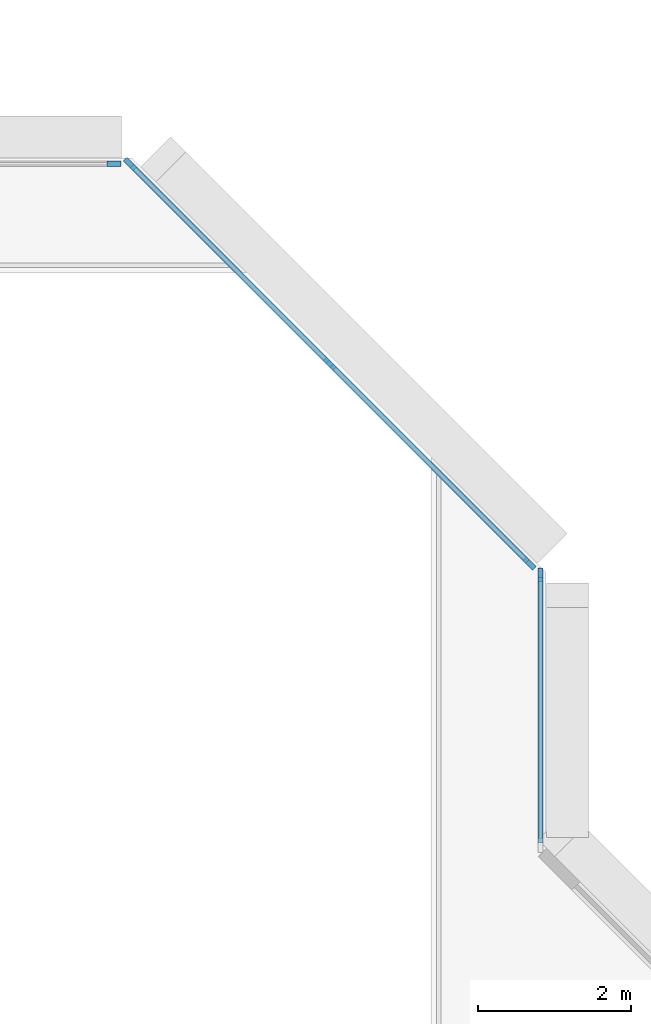
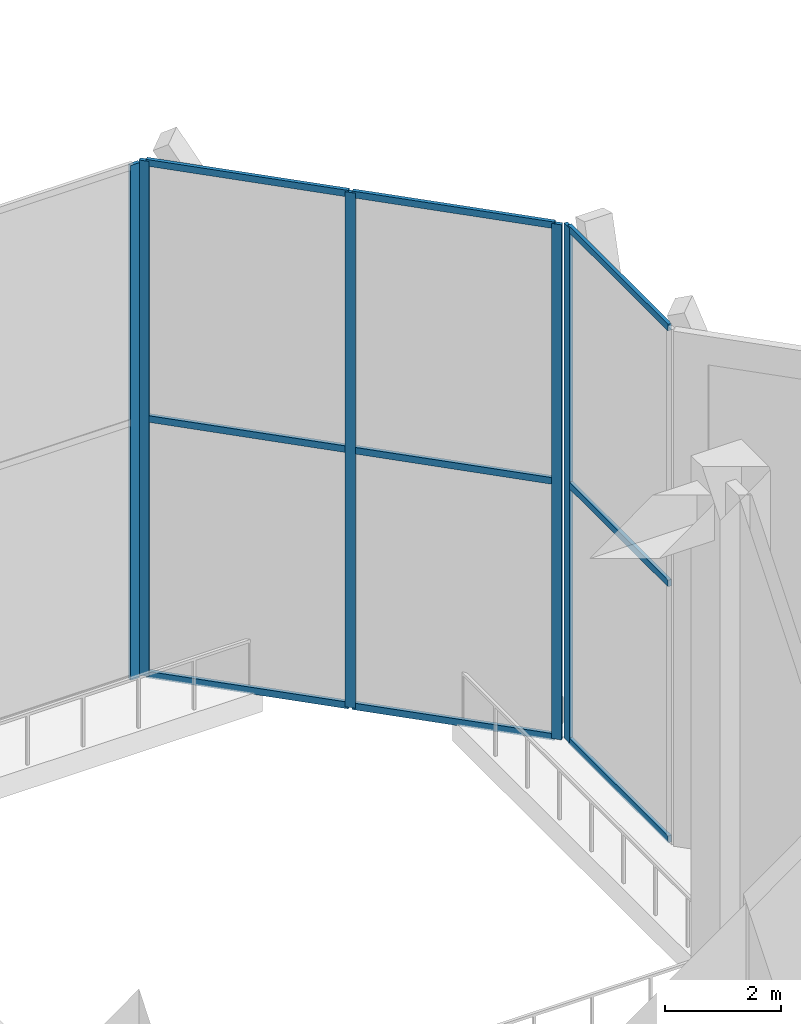
# One storey, part 7 of 21: 14 members, 3 elements without a shape of their own.
"""IFC4 building model written with IfcOpenShell, lengths in metres."""

from ifc_helpers import new_model, si_unit, direction, frame, origin, origin_2d, place, context, subcontext, project, spatial, rectangle, extrude, material, layer, layer_set, material_profile, profile_set, type_object, element, aggregate, save


model = new_model("IFC4")

# Units and contexts
model_context = context("Model", 3, precision=1e-05, world=origin(), true_north=direction((0.0, 1.0)))
body_context = subcontext(model_context, "Body", "Model", "MODEL_VIEW")
ifc_project = project(units=[si_unit("LENGTHUNIT", "METRE"), si_unit("AREAUNIT", "SQUARE_METRE"), si_unit("VOLUMEUNIT", "CUBIC_METRE"), si_unit("PLANEANGLEUNIT", "RADIAN"), si_unit("MASSUNIT", "GRAM", prefix="KILO")], contexts=[model_context])

# Site, building, storey
site_placement = place(None, origin())
site = spatial("IfcSite", under=ifc_project, at=site_placement, CompositionType="ELEMENT")
building_placement = place(site_placement, origin())
building = spatial("IfcBuilding", under=site, at=building_placement, Name="Chenar Terraces", CompositionType="ELEMENT")
storey_placement = place(building_placement, frame((0.0, 0.0, 146.14990234375)))
storey = spatial("IfcBuildingStorey", under=building, at=storey_placement, Name="L34", CompositionType="ELEMENT", Elevation=146.14990234375)

# Curtain wall, member
ifc_material_1 = material(Name="Aluminium framed glazing", Category="aluminium")
ifc_layer = layer(ifc_material_1, 0.14990234375)
ifc_layer_set = layer_set([ifc_layer], Name="Aluminium framed glazing")
curtain_wall_type = type_object("IfcCurtainWallType", Name="Atrium mid-zone curtain wall", PredefinedType="NOTDEFINED", material=ifc_layer_set)
placement = place(storey_placement, origin())
curtain_wall_1 = element("IfcCurtainWall", 1, at=placement, inside=storey, type_object=curtain_wall_type, Name="Atrium mid-zone curtain wall", PredefinedType="NOTDEFINED")
ifc_material_2 = material(Name="Aluminium", Category="aluminium")
ifc_material_profile_1 = material_profile(ifc_material_2, rectangle(XDim=0.070068359375, YDim=0.179931640625, at=origin_2d()), Name="Atrium mid-zone glazing mullion 70 x 180")
ifc_profile_set_1 = profile_set([ifc_material_profile_1], Name="Aluminium")
member_type_1 = type_object("IfcMemberType", Name="Atrium mid-zone glazing mullion 70 x 180", PredefinedType="MULLION", material=ifc_profile_set_1)
member_1_placement = place(storey_placement, frame((37.425048828125, 32.06494140625, 0.0), z_axis=(0.0, 0.0, 1.0), x_axis=(-1.0, 0.0, 0.0)))
member_1 = element("IfcMember", 2, at=member_1_placement, type_object=member_type_1, Name="CW7-1 mullion 2", PredefinedType="MULLION", context=body_context, shape_type="SweptSolid", body=[
    extrude(rectangle(XDim=0.070068359375, YDim=0.179931640625, at=origin_2d()), origin(), (0.0, 0.0, 1.0), 10.85009765625),
])

# Curtain wall, members
curtain_wall_2 = element("IfcCurtainWall", 3, at=placement, inside=storey, type_object=curtain_wall_type, Name="Atrium mid-zone curtain wall", PredefinedType="NOTDEFINED")
member_2_placement = place(storey_placement, frame((37.28076171875, 32.213134765625, 0.0), z_axis=(0.0, 0.0, 1.0), x_axis=(-0.707106781187, -0.707106781187, 0.0)))
member_2 = element("IfcMember", 4, at=member_2_placement, type_object=member_type_1, Name="CW7-2 mullion 1", PredefinedType="MULLION", context=body_context, shape_type="SweptSolid", body=[
    extrude(rectangle(XDim=0.070068359375, YDim=0.179931640625, at=origin_2d()), origin(), (0.0, 0.0, 1.0), 10.85009765625),
])
member_3_placement = place(storey_placement, frame((34.67626953125, 34.817626953125, 0.0), z_axis=(0.0, 0.0, 1.0), x_axis=(-0.707106781187, -0.707106781187, 0.0)))
member_3 = element("IfcMember", 5, at=member_3_placement, type_object=member_type_1, Name="CW7-2 mullion 2", PredefinedType="MULLION", context=body_context, shape_type="SweptSolid", body=[
    extrude(rectangle(XDim=0.070068359375, YDim=0.179931640625, at=origin_2d()), origin(), (0.0, 0.0, 1.0), 10.85009765625),
])
member_4_placement = place(storey_placement, frame((32.07177734375, 37.42236328125, 0.0), z_axis=(0.0, 0.0, 1.0), x_axis=(-0.707106781187, -0.707106781187, 0.0)))
member_4 = element("IfcMember", 6, at=member_4_placement, type_object=member_type_1, Name="CW7-2 mullion 3", PredefinedType="MULLION", context=body_context, shape_type="SweptSolid", body=[
    extrude(rectangle(XDim=0.070068359375, YDim=0.179931640625, at=origin_2d()), origin(), (0.0, 0.0, 1.0), 10.85009765625),
])

# Curtain wall, member
curtain_wall_3 = element("IfcCurtainWall", 7, at=placement, inside=storey, type_object=curtain_wall_type, Name="Atrium mid-zone curtain wall", PredefinedType="NOTDEFINED")
member_5_placement = place(storey_placement, frame((31.864990234375, 37.425048828125, 0.0), z_axis=(0.0, 0.0, 1.0), x_axis=(0.0, -1.0, 0.0)))
member_5 = element("IfcMember", 8, at=member_5_placement, type_object=member_type_1, Name="CW7-3 mullion 1", PredefinedType="MULLION", context=body_context, shape_type="SweptSolid", body=[
    extrude(rectangle(XDim=0.070068359375, YDim=0.179931640625, at=origin_2d()), origin(), (0.0, 0.0, 1.0), 10.85009765625),
])
aggregate(curtain_wall_3, [member_5])

# Member
ifc_material_3 = material(Name="Aluminium", Category="aluminium")
ifc_material_profile_2 = material_profile(ifc_material_3, rectangle(XDim=0.070068359375, YDim=0.139892578125, at=origin_2d()), Name="Atrium mid-zone glazing transom 70 x 140")
ifc_profile_set_2 = profile_set([ifc_material_profile_2], Name="Aluminium")
member_type_2 = type_object("IfcMemberType", Name="Atrium mid-zone glazing transom 70 x 140", PredefinedType="USERDEFINED", material=ifc_profile_set_2)
member_6_placement = place(storey_placement, frame((37.425048828125, 28.570068359375, 0.03515625), z_axis=(0.0, 1.0, 0.0), x_axis=(-1.0, 0.0, 0.0)))
member_6 = element("IfcMember", 9, at=member_6_placement, type_object=member_type_2, Name="CW7-1 transom 1.1", ObjectType="TRANSOM", PredefinedType="USERDEFINED", context=body_context, shape_type="SweptSolid", body=[
    extrude(rectangle(XDim=0.070068359375, YDim=0.139892578125, at=origin_2d()), origin(), (0.0, 0.0, 1.0), 3.4599609375),
])

member_7_placement = place(storey_placement, frame((37.425048828125, 28.570068359375, 5.425048828125), z_axis=(0.0, 1.0, 0.0), x_axis=(-1.0, 0.0, 0.0)))
member_7 = element("IfcMember", 10, at=member_7_placement, type_object=member_type_2, Name="CW7-1 transom 1.2", ObjectType="TRANSOM", PredefinedType="USERDEFINED", context=body_context, shape_type="SweptSolid", body=[
    extrude(rectangle(XDim=0.070068359375, YDim=0.139892578125, at=origin_2d()), origin(), (0.0, 0.0, 1.0), 3.4599609375),
])

member_8_placement = place(storey_placement, frame((37.425048828125, 28.570068359375, 10.815185546875), z_axis=(0.0, 1.0, 0.0), x_axis=(-1.0, 0.0, 0.0)))
member_8 = element("IfcMember", 11, at=member_8_placement, type_object=member_type_2, Name="CW7-1 transom 1.3", ObjectType="TRANSOM", PredefinedType="USERDEFINED", context=body_context, shape_type="SweptSolid", body=[
    extrude(rectangle(XDim=0.070068359375, YDim=0.139892578125, at=origin_2d()), origin(), (0.0, 0.0, 1.0), 3.4599609375),
])

aggregate(curtain_wall_1, [member_1, member_6, member_7, member_8])

member_9_placement = place(storey_placement, frame((37.256103515625, 32.23779296875, 0.03515625), z_axis=(-0.707106781187, 0.707106781187, 0.0), x_axis=(-0.707106781187, -0.707106781187, 0.0)))
member_9 = element("IfcMember", 12, at=member_9_placement, type_object=member_type_2, Name="CW7-2 transom 1.1", ObjectType="TRANSOM", PredefinedType="USERDEFINED", context=body_context, shape_type="SweptSolid", body=[
    extrude(rectangle(XDim=0.070068359375, YDim=0.139892578125, at=origin_2d()), origin(), (0.0, 0.0, 1.0), 3.613525390625),
])

member_10_placement = place(storey_placement, frame((37.256103515625, 32.23779296875, 5.425048828125), z_axis=(-0.707106781187, 0.707106781187, 0.0), x_axis=(-0.707106781187, -0.707106781187, 0.0)))
member_10 = element("IfcMember", 13, at=member_10_placement, type_object=member_type_2, Name="CW7-2 transom 1.2", ObjectType="TRANSOM", PredefinedType="USERDEFINED", context=body_context, shape_type="SweptSolid", body=[
    extrude(rectangle(XDim=0.070068359375, YDim=0.139892578125, at=origin_2d()), origin(), (0.0, 0.0, 1.0), 3.613525390625),
])

member_11_placement = place(storey_placement, frame((37.256103515625, 32.23779296875, 10.815185546875), z_axis=(-0.707106781187, 0.707106781187, 0.0), x_axis=(-0.707106781187, -0.707106781187, 0.0)))
member_11 = element("IfcMember", 14, at=member_11_placement, type_object=member_type_2, Name="CW7-2 transom 1.3", ObjectType="TRANSOM", PredefinedType="USERDEFINED", context=body_context, shape_type="SweptSolid", body=[
    extrude(rectangle(XDim=0.070068359375, YDim=0.139892578125, at=origin_2d()), origin(), (0.0, 0.0, 1.0), 3.613525390625),
])

member_12_placement = place(storey_placement, frame((34.651611328125, 34.842529296875, 0.03515625), z_axis=(-0.707140563131, 0.707072997628, 0.0), x_axis=(-0.707072997628, -0.707140563131, 0.0)))
member_12 = element("IfcMember", 15, at=member_12_placement, type_object=member_type_2, Name="CW7-2 transom 2.1", ObjectType="TRANSOM", PredefinedType="USERDEFINED", context=body_context, shape_type="SweptSolid", body=[
    extrude(rectangle(XDim=0.070068359375, YDim=0.139892578125, at=origin_2d()), origin(), (0.0, 0.0, 1.0), 3.61328125),
])

member_13_placement = place(storey_placement, frame((34.651611328125, 34.842529296875, 5.425048828125), z_axis=(-0.707140563131, 0.707072997628, 0.0), x_axis=(-0.707072997628, -0.707140563131, 0.0)))
member_13 = element("IfcMember", 16, at=member_13_placement, type_object=member_type_2, Name="CW7-2 transom 2.2", ObjectType="TRANSOM", PredefinedType="USERDEFINED", context=body_context, shape_type="SweptSolid", body=[
    extrude(rectangle(XDim=0.070068359375, YDim=0.139892578125, at=origin_2d()), origin(), (0.0, 0.0, 1.0), 3.61328125),
])

member_14_placement = place(storey_placement, frame((34.651611328125, 34.842529296875, 10.815185546875), z_axis=(-0.707140563131, 0.707072997628, 0.0), x_axis=(-0.707072997628, -0.707140563131, 0.0)))
member_14 = element("IfcMember", 17, at=member_14_placement, type_object=member_type_2, Name="CW7-2 transom 2.3", ObjectType="TRANSOM", PredefinedType="USERDEFINED", context=body_context, shape_type="SweptSolid", body=[
    extrude(rectangle(XDim=0.070068359375, YDim=0.139892578125, at=origin_2d()), origin(), (0.0, 0.0, 1.0), 3.61328125),
])

aggregate(curtain_wall_2, [member_2, member_3, member_4, member_9, member_10, member_11, member_12, member_13, member_14])

save(model, "model.ifc")
